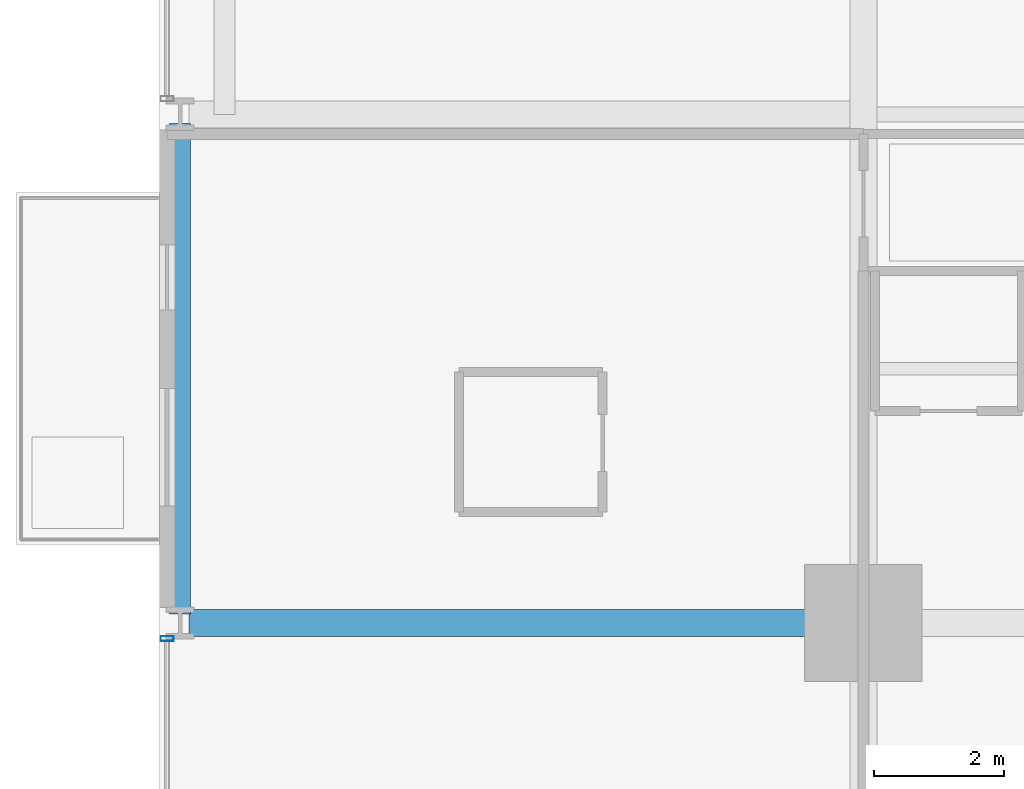
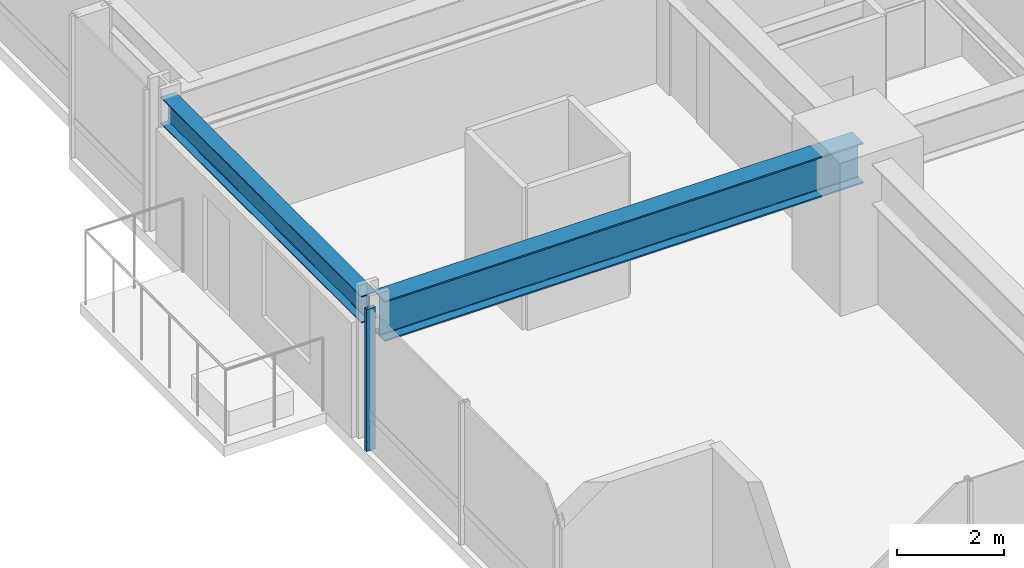
# One storey, part 4 of 42: 2 beams, 1 member, 1 element without a shape of its own.
"""IFC4 building model written with IfcOpenShell, lengths in metres."""

from ifc_helpers import new_model, si_unit, direction, frame, origin, origin_2d, place, context, subcontext, project, spatial, hollow_rectangle, i_section, extrude, material, layer, layer_set, material_profile, profile_set, type_object, element, aggregate, save


model = new_model("IFC4")

# Units and contexts
model_context = context("Model", 3, precision=1e-05, world=origin(), true_north=direction((0.0, 1.0)))
body_context = subcontext(model_context, "Body", "Model", "MODEL_VIEW")
ifc_project = project(units=[si_unit("LENGTHUNIT", "METRE"), si_unit("AREAUNIT", "SQUARE_METRE"), si_unit("VOLUMEUNIT", "CUBIC_METRE"), si_unit("PLANEANGLEUNIT", "RADIAN"), si_unit("MASSUNIT", "GRAM", prefix="KILO")], contexts=[model_context])

# Site, building, storey
site_placement = place(None, origin())
site = spatial("IfcSite", under=ifc_project, at=site_placement, CompositionType="ELEMENT")
building_placement = place(site_placement, origin())
building = spatial("IfcBuilding", under=site, at=building_placement, Name="Drelvath Grand Hotel", CompositionType="ELEMENT")
storey_placement = place(building_placement, frame((0.0, 0.0, 33.199951171875)))
storey = spatial("IfcBuildingStorey", under=building, at=storey_placement, Name="L06", CompositionType="ELEMENT", Elevation=33.199951171875)

# Curtain wall, member
ifc_material_1 = material(Name="Warm Bronze Anodised Aluminium Frame", Category="aluminium")
ifc_layer = layer(ifc_material_1, 0.199951171875)
ifc_layer_set = layer_set([ifc_layer], Name="Warm Bronze Anodised Aluminium Frame")
curtain_wall_type = type_object("IfcCurtainWallType", Name="Stick Curtain Wall CW-02 Warm Bronze Low-Rise", PredefinedType="NOTDEFINED", material=ifc_layer_set)
curtain_wall_placement = place(storey_placement, origin())
curtain_wall = element("IfcCurtainWall", 1, at=curtain_wall_placement, inside=storey, type_object=curtain_wall_type, Name="L06 CW-02 Curtain Wall CW02-L06-WS1", PredefinedType="NOTDEFINED")
ifc_material_profile_1 = material_profile(ifc_material_1, hollow_rectangle(XDim=0.080078125, YDim=0.199951171875, WallThickness=0.0048828125, at=origin_2d()), Name="HSS200X80X5")
ifc_profile_set_1 = profile_set([ifc_material_profile_1], Name="Warm Bronze Anodised Aluminium Frame")
member_type = type_object("IfcMemberType", Name="Curtain Wall Vertical Mullion CW-02 HSS200X80X5", PredefinedType="MULLION", material=ifc_profile_set_1)
member_placement = place(storey_placement, frame((-26.8798828125, 10.55908203125, 0.0), z_axis=(0.0, 0.0, 1.0), x_axis=(0.0, 1.0, 0.0)))
member = element("IfcMember", 2, at=member_placement, type_object=member_type, Name="CW02-L06-WS1 Mullion 3", PredefinedType="MULLION", context=body_context, shape_type="SweptSolid", body=[
    extrude(hollow_rectangle(XDim=0.080078125, YDim=0.199951171875, WallThickness=0.0048828125, at=origin_2d()), origin(), (0.0, 0.0, 1.0), 3.239990234375),
])
aggregate(curtain_wall, [member])

# Beams
ifc_material_2 = material(Name="Steel ASTM A992 Gr 50", Category="steel")
ifc_material_profile_2 = material_profile(ifc_material_2, i_section(OverallWidth=0.323974609375, OverallDepth=0.611083984375, WebThickness=0.0126953125, FlangeThickness=0.01904296875, FilletRadius=0.02197265625, at=origin_2d()), Name="W24X104")
ifc_profile_set_2 = profile_set([ifc_material_profile_2], Name="Steel ASTM A992 Gr 50")
beam_type_1 = type_object("IfcBeamType", Name="Perimeter Spandrel Beam W24X104", PredefinedType="SPANDREL", material=ifc_profile_set_2)
beam_1_placement = place(storey_placement, frame((-26.679931640625, 10.93994140625, 2.9345703125), z_axis=(0.0, 1.0, 0.0), x_axis=(-1.0, 0.0, 0.0)))
element("IfcBeam", 3, at=beam_1_placement, inside=storey, type_object=beam_type_1, Name="L06 Spandrel West S", PredefinedType="SPANDREL", context=body_context, shape_type="SweptSolid", body=[
    extrude(i_section(OverallWidth=0.323974609375, OverallDepth=0.611083984375, WebThickness=0.0126953125, FlangeThickness=0.01904296875, FilletRadius=0.02197265625, at=origin_2d()), origin(), (0.0, 0.0, 1.0), 7.52001953125),
])
ifc_material_profile_3 = material_profile(ifc_material_2, i_section(OverallWidth=0.418212890625, OverallDepth=0.926513671875, WebThickness=0.019287109375, FlangeThickness=0.031982421875, FilletRadius=0.028076171875, at=origin_2d()), Name="W36X231")
ifc_profile_set_3 = profile_set([ifc_material_profile_3], Name="Steel ASTM A992 Gr 50")
beam_type_2 = type_object("IfcBeamType", Name="Primary Floor Girder W36X231", PredefinedType="BEAM", material=ifc_profile_set_3)
beam_2_placement = place(storey_placement, frame((-26.5400390625, 10.800048828125, 2.77685546875), z_axis=(1.0, 0.0, 0.0), x_axis=(0.0, 1.0, 0.0)))
element("IfcBeam", 4, at=beam_2_placement, inside=storey, type_object=beam_type_2, Name="L06 West Grid Girder C", PredefinedType="BEAM", context=body_context, shape_type="SweptSolid", body=[
    extrude(i_section(OverallWidth=0.418212890625, OverallDepth=0.926513671875, WebThickness=0.019287109375, FlangeThickness=0.031982421875, FilletRadius=0.028076171875, at=origin_2d()), origin(), (0.0, 0.0, 1.0), 10.340087890625),
])

save(model, "model.ifc")
